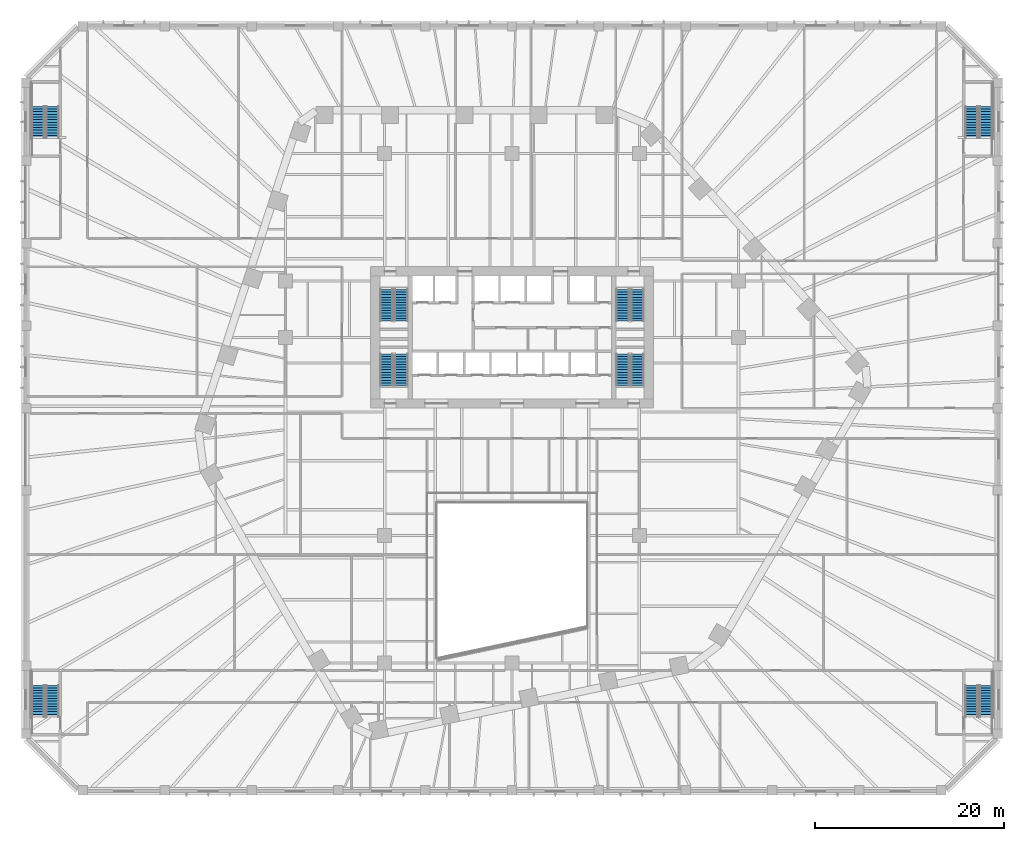
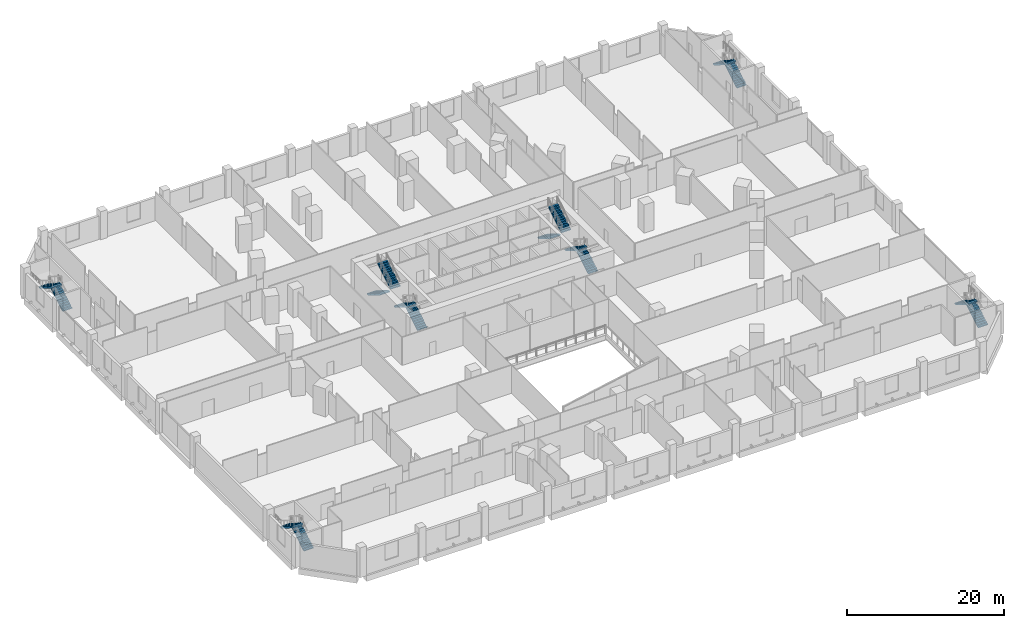
# One storey, part 23 of 33: 16 stair flights, 8 elements without a shape of their own.
"""IFC4 building model written with IfcOpenShell, lengths in metres."""

from ifc_helpers import new_model, si_unit, direction, frame, origin, place, context, subcontext, project, spatial, polyline, outline, extrude, material, type_object, element, aggregate, save


model = new_model("IFC4")

# Units and contexts
model_context = context("Model", 3, precision=1e-05, world=origin(), true_north=direction((0.0, 1.0)))
body_context = subcontext(model_context, "Body", "Model", "MODEL_VIEW")
ifc_project = project(units=[si_unit("LENGTHUNIT", "METRE"), si_unit("AREAUNIT", "SQUARE_METRE"), si_unit("VOLUMEUNIT", "CUBIC_METRE"), si_unit("PLANEANGLEUNIT", "RADIAN"), si_unit("MASSUNIT", "GRAM", prefix="KILO")], contexts=[model_context])

# Site, building, storey
site_placement = place(None, origin())
site = spatial("IfcSite", under=ifc_project, at=site_placement, CompositionType="ELEMENT")
building_placement = place(site_placement, origin())
building = spatial("IfcBuilding", under=site, at=building_placement, Name="Isthmus Gate Tower", CompositionType="ELEMENT")
storey_placement = place(building_placement, frame((0.0, 0.0, 31.5)))
storey = spatial("IfcBuildingStorey", under=building, at=storey_placement, Name="L05", CompositionType="ELEMENT", Elevation=31.5)

# Stair, stair flights
ifc_material_1 = material(Name="Concrete f'c 40 MPa", Category="concrete")
stair_type_1 = type_object("IfcStairType", Name="Podium exit stair 1400 wide flights", PredefinedType="HALF_TURN_STAIR", material=ifc_material_1)
stair_1_placement = place(storey_placement, origin())
stair_1 = element("IfcStair", 1, at=stair_1_placement, inside=storey, type_object=stair_type_1, Name="L05 Podium Exit Stair ST3", PredefinedType="HALF_TURN_STAIR")
ifc_material_2 = material(Name="Concrete f'c 40 MPa", Category="concrete")
stair_flight_type_1 = type_object("IfcStairFlightType", Name="Podium stair flight 1400", PredefinedType="STRAIGHT", material=ifc_material_2)
stair_flight_1_placement = place(storey_placement, frame((-48.699951171875, -32.72509765625, 0.0), z_axis=(0.0, 0.0, 1.0), x_axis=(0.0, 1.0, 0.0)))
stair_flight_1 = element("IfcStairFlight", 2, at=stair_flight_1_placement, type_object=stair_flight_type_1, Name="ST3 flight 1", NumberOfRisers=13, NumberOfTreads=12, PredefinedType="STRAIGHT", RiserHeight=0.173076923, TreadLength=0.28, context=body_context, shape_type="SweptSolid", body=[
    extrude(outline(polyline([(0.0, 0.0), (0.0, 0.173095703125), (0.280029296875, 0.173095703125), (0.280029296875, 0.34619140625), (0.56005859375, 0.34619140625), (0.56005859375, 0.519287109375), (0.840087890625, 0.519287109375), (0.840087890625, 0.6923828125), (1.1201171875, 0.6923828125), (1.1201171875, 0.865478515625), (1.39990234375, 0.865478515625), (1.39990234375, 1.03857421875), (1.679931640625, 1.03857421875), (1.679931640625, 1.21142578125), (1.9599609375, 1.21142578125), (1.9599609375, 1.384521484375), (2.239990234375, 1.384521484375), (2.239990234375, 1.5576171875), (2.52001953125, 1.5576171875), (2.52001953125, 1.730712890625), (2.800048828125, 1.730712890625), (2.800048828125, 1.90380859375), (3.080078125, 1.90380859375), (3.080078125, 2.076904296875), (3.360107421875, 2.076904296875), (3.360107421875, 2.25), (3.360107421875, 1.900634765625), (0.28515625, 0.0), (0.0, 0.0)])), frame((0.0, 0.699951171875, 0.0), z_axis=(0.0, -1.0, 0.0), x_axis=(1.0, 0.0, 0.0)), (0.0, 0.0, 1.0), 1.39990234375),
])
stair_flight_2_placement = place(storey_placement, frame((-50.25, -29.364990234375, 2.25), z_axis=(0.0, 0.0, 1.0), x_axis=(0.0, -1.0, 0.0)))
stair_flight_2 = element("IfcStairFlight", 3, at=stair_flight_2_placement, type_object=stair_flight_type_1, Name="ST3 flight 2", NumberOfRisers=13, NumberOfTreads=12, PredefinedType="STRAIGHT", RiserHeight=0.173076923, TreadLength=0.28, context=body_context, shape_type="SweptSolid", body=[
    extrude(outline(polyline([(0.0, 0.0), (0.0, 0.173095703125), (0.280029296875, 0.173095703125), (0.280029296875, 0.34619140625), (0.56005859375, 0.34619140625), (0.56005859375, 0.519287109375), (0.840087890625, 0.519287109375), (0.840087890625, 0.6923828125), (1.1201171875, 0.6923828125), (1.1201171875, 0.865478515625), (1.39990234375, 0.865478515625), (1.39990234375, 1.03857421875), (1.679931640625, 1.03857421875), (1.679931640625, 1.21142578125), (1.9599609375, 1.21142578125), (1.9599609375, 1.384521484375), (2.239990234375, 1.384521484375), (2.239990234375, 1.5576171875), (2.52001953125, 1.5576171875), (2.52001953125, 1.730712890625), (2.800048828125, 1.730712890625), (2.800048828125, 1.90380859375), (3.080078125, 1.90380859375), (3.080078125, 2.076904296875), (3.360107421875, 2.076904296875), (3.360107421875, 2.25), (3.360107421875, 1.900634765625), (0.28515625, 0.0), (0.0, 0.0)])), frame((0.0, 0.699951171875, 0.0), z_axis=(0.0, -1.0, 0.0), x_axis=(1.0, 0.0, 0.0)), (0.0, 0.0, 1.0), 1.39990234375),
])
aggregate(stair_1, [stair_flight_1, stair_flight_2])

stair_2_placement = place(storey_placement, origin())
stair_2 = element("IfcStair", 4, at=stair_2_placement, inside=storey, type_object=stair_type_1, Name="L05 Podium Exit Stair ST4", PredefinedType="HALF_TURN_STAIR")
stair_flight_3_placement = place(storey_placement, frame((50.25, -32.72509765625, 0.0), z_axis=(0.0, 0.0, 1.0), x_axis=(0.0, 1.0, 0.0)))
stair_flight_3 = element("IfcStairFlight", 5, at=stair_flight_3_placement, type_object=stair_flight_type_1, Name="ST4 flight 1", NumberOfRisers=13, NumberOfTreads=12, PredefinedType="STRAIGHT", RiserHeight=0.173076923, TreadLength=0.28, context=body_context, shape_type="SweptSolid", body=[
    extrude(outline(polyline([(0.0, 0.0), (0.0, 0.173095703125), (0.280029296875, 0.173095703125), (0.280029296875, 0.34619140625), (0.56005859375, 0.34619140625), (0.56005859375, 0.519287109375), (0.840087890625, 0.519287109375), (0.840087890625, 0.6923828125), (1.1201171875, 0.6923828125), (1.1201171875, 0.865478515625), (1.39990234375, 0.865478515625), (1.39990234375, 1.03857421875), (1.679931640625, 1.03857421875), (1.679931640625, 1.21142578125), (1.9599609375, 1.21142578125), (1.9599609375, 1.384521484375), (2.239990234375, 1.384521484375), (2.239990234375, 1.5576171875), (2.52001953125, 1.5576171875), (2.52001953125, 1.730712890625), (2.800048828125, 1.730712890625), (2.800048828125, 1.90380859375), (3.080078125, 1.90380859375), (3.080078125, 2.076904296875), (3.360107421875, 2.076904296875), (3.360107421875, 2.25), (3.360107421875, 1.900634765625), (0.28515625, 0.0), (0.0, 0.0)])), frame((0.0, 0.699951171875, 0.0), z_axis=(0.0, -1.0, 0.0), x_axis=(1.0, 0.0, 0.0)), (0.0, 0.0, 1.0), 1.39990234375),
])
stair_flight_4_placement = place(storey_placement, frame((48.699951171875, -29.364990234375, 2.25), z_axis=(0.0, 0.0, 1.0), x_axis=(0.0, -1.0, 0.0)))
stair_flight_4 = element("IfcStairFlight", 6, at=stair_flight_4_placement, type_object=stair_flight_type_1, Name="ST4 flight 2", NumberOfRisers=13, NumberOfTreads=12, PredefinedType="STRAIGHT", RiserHeight=0.173076923, TreadLength=0.28, context=body_context, shape_type="SweptSolid", body=[
    extrude(outline(polyline([(0.0, 0.0), (0.0, 0.173095703125), (0.280029296875, 0.173095703125), (0.280029296875, 0.34619140625), (0.56005859375, 0.34619140625), (0.56005859375, 0.519287109375), (0.840087890625, 0.519287109375), (0.840087890625, 0.6923828125), (1.1201171875, 0.6923828125), (1.1201171875, 0.865478515625), (1.39990234375, 0.865478515625), (1.39990234375, 1.03857421875), (1.679931640625, 1.03857421875), (1.679931640625, 1.21142578125), (1.9599609375, 1.21142578125), (1.9599609375, 1.384521484375), (2.239990234375, 1.384521484375), (2.239990234375, 1.5576171875), (2.52001953125, 1.5576171875), (2.52001953125, 1.730712890625), (2.800048828125, 1.730712890625), (2.800048828125, 1.90380859375), (3.080078125, 1.90380859375), (3.080078125, 2.076904296875), (3.360107421875, 2.076904296875), (3.360107421875, 2.25), (3.360107421875, 1.900634765625), (0.28515625, 0.0), (0.0, 0.0)])), frame((0.0, 0.699951171875, 0.0), z_axis=(0.0, -1.0, 0.0), x_axis=(1.0, 0.0, 0.0)), (0.0, 0.0, 1.0), 1.39990234375),
])
aggregate(stair_2, [stair_flight_3, stair_flight_4])

stair_3_placement = place(storey_placement, origin())
stair_3 = element("IfcStair", 7, at=stair_3_placement, inside=storey, type_object=stair_type_1, Name="L05 Podium Exit Stair ST5", PredefinedType="HALF_TURN_STAIR")
stair_flight_5_placement = place(storey_placement, frame((50.25, 28.625, 0.0), z_axis=(0.0, 0.0, 1.0), x_axis=(0.0, 1.0, 0.0)))
stair_flight_5 = element("IfcStairFlight", 8, at=stair_flight_5_placement, type_object=stair_flight_type_1, Name="ST5 flight 1", NumberOfRisers=13, NumberOfTreads=12, PredefinedType="STRAIGHT", RiserHeight=0.173076923, TreadLength=0.28, context=body_context, shape_type="SweptSolid", body=[
    extrude(outline(polyline([(0.0, 0.0), (0.0, 0.173095703125), (0.280029296875, 0.173095703125), (0.280029296875, 0.34619140625), (0.56005859375, 0.34619140625), (0.56005859375, 0.519287109375), (0.840087890625, 0.519287109375), (0.840087890625, 0.6923828125), (1.1201171875, 0.6923828125), (1.1201171875, 0.865478515625), (1.39990234375, 0.865478515625), (1.39990234375, 1.03857421875), (1.679931640625, 1.03857421875), (1.679931640625, 1.21142578125), (1.9599609375, 1.21142578125), (1.9599609375, 1.384521484375), (2.239990234375, 1.384521484375), (2.239990234375, 1.5576171875), (2.52001953125, 1.5576171875), (2.52001953125, 1.730712890625), (2.800048828125, 1.730712890625), (2.800048828125, 1.90380859375), (3.080078125, 1.90380859375), (3.080078125, 2.076904296875), (3.360107421875, 2.076904296875), (3.360107421875, 2.25), (3.360107421875, 1.900634765625), (0.28515625, 0.0), (0.0, 0.0)])), frame((0.0, 0.699951171875, 0.0), z_axis=(0.0, -1.0, 0.0), x_axis=(1.0, 0.0, 0.0)), (0.0, 0.0, 1.0), 1.39990234375),
])
stair_flight_6_placement = place(storey_placement, frame((48.699951171875, 31.985107421875, 2.25), z_axis=(0.0, 0.0, 1.0), x_axis=(0.0, -1.0, 0.0)))
stair_flight_6 = element("IfcStairFlight", 9, at=stair_flight_6_placement, type_object=stair_flight_type_1, Name="ST5 flight 2", NumberOfRisers=13, NumberOfTreads=12, PredefinedType="STRAIGHT", RiserHeight=0.173076923, TreadLength=0.28, context=body_context, shape_type="SweptSolid", body=[
    extrude(outline(polyline([(0.0, 0.0), (0.0, 0.173095703125), (0.280029296875, 0.173095703125), (0.280029296875, 0.34619140625), (0.56005859375, 0.34619140625), (0.56005859375, 0.519287109375), (0.840087890625, 0.519287109375), (0.840087890625, 0.6923828125), (1.1201171875, 0.6923828125), (1.1201171875, 0.865478515625), (1.39990234375, 0.865478515625), (1.39990234375, 1.03857421875), (1.679931640625, 1.03857421875), (1.679931640625, 1.21142578125), (1.9599609375, 1.21142578125), (1.9599609375, 1.384521484375), (2.239990234375, 1.384521484375), (2.239990234375, 1.5576171875), (2.52001953125, 1.5576171875), (2.52001953125, 1.730712890625), (2.800048828125, 1.730712890625), (2.800048828125, 1.90380859375), (3.080078125, 1.90380859375), (3.080078125, 2.076904296875), (3.360107421875, 2.076904296875), (3.360107421875, 2.25), (3.360107421875, 1.900634765625), (0.28515625, 0.0), (0.0, 0.0)])), frame((0.0, 0.699951171875, 0.0), z_axis=(0.0, -1.0, 0.0), x_axis=(1.0, 0.0, 0.0)), (0.0, 0.0, 1.0), 1.39990234375),
])
aggregate(stair_3, [stair_flight_5, stair_flight_6])

stair_4_placement = place(storey_placement, origin())
stair_4 = element("IfcStair", 10, at=stair_4_placement, inside=storey, type_object=stair_type_1, Name="L05 Podium Exit Stair ST6", PredefinedType="HALF_TURN_STAIR")
stair_flight_7_placement = place(storey_placement, frame((-48.699951171875, 28.625, 0.0), z_axis=(0.0, 0.0, 1.0), x_axis=(0.0, 1.0, 0.0)))
stair_flight_7 = element("IfcStairFlight", 11, at=stair_flight_7_placement, type_object=stair_flight_type_1, Name="ST6 flight 1", NumberOfRisers=13, NumberOfTreads=12, PredefinedType="STRAIGHT", RiserHeight=0.173076923, TreadLength=0.28, context=body_context, shape_type="SweptSolid", body=[
    extrude(outline(polyline([(0.0, 0.0), (0.0, 0.173095703125), (0.280029296875, 0.173095703125), (0.280029296875, 0.34619140625), (0.56005859375, 0.34619140625), (0.56005859375, 0.519287109375), (0.840087890625, 0.519287109375), (0.840087890625, 0.6923828125), (1.1201171875, 0.6923828125), (1.1201171875, 0.865478515625), (1.39990234375, 0.865478515625), (1.39990234375, 1.03857421875), (1.679931640625, 1.03857421875), (1.679931640625, 1.21142578125), (1.9599609375, 1.21142578125), (1.9599609375, 1.384521484375), (2.239990234375, 1.384521484375), (2.239990234375, 1.5576171875), (2.52001953125, 1.5576171875), (2.52001953125, 1.730712890625), (2.800048828125, 1.730712890625), (2.800048828125, 1.90380859375), (3.080078125, 1.90380859375), (3.080078125, 2.076904296875), (3.360107421875, 2.076904296875), (3.360107421875, 2.25), (3.360107421875, 1.900634765625), (0.28515625, 0.0), (0.0, 0.0)])), frame((0.0, 0.699951171875, 0.0), z_axis=(0.0, -1.0, 0.0), x_axis=(1.0, 0.0, 0.0)), (0.0, 0.0, 1.0), 1.39990234375),
])
stair_flight_8_placement = place(storey_placement, frame((-50.25, 31.985107421875, 2.25), z_axis=(0.0, 0.0, 1.0), x_axis=(0.0, -1.0, 0.0)))
stair_flight_8 = element("IfcStairFlight", 12, at=stair_flight_8_placement, type_object=stair_flight_type_1, Name="ST6 flight 2", NumberOfRisers=13, NumberOfTreads=12, PredefinedType="STRAIGHT", RiserHeight=0.173076923, TreadLength=0.28, context=body_context, shape_type="SweptSolid", body=[
    extrude(outline(polyline([(0.0, 0.0), (0.0, 0.173095703125), (0.280029296875, 0.173095703125), (0.280029296875, 0.34619140625), (0.56005859375, 0.34619140625), (0.56005859375, 0.519287109375), (0.840087890625, 0.519287109375), (0.840087890625, 0.6923828125), (1.1201171875, 0.6923828125), (1.1201171875, 0.865478515625), (1.39990234375, 0.865478515625), (1.39990234375, 1.03857421875), (1.679931640625, 1.03857421875), (1.679931640625, 1.21142578125), (1.9599609375, 1.21142578125), (1.9599609375, 1.384521484375), (2.239990234375, 1.384521484375), (2.239990234375, 1.5576171875), (2.52001953125, 1.5576171875), (2.52001953125, 1.730712890625), (2.800048828125, 1.730712890625), (2.800048828125, 1.90380859375), (3.080078125, 1.90380859375), (3.080078125, 2.076904296875), (3.360107421875, 2.076904296875), (3.360107421875, 2.25), (3.360107421875, 1.900634765625), (0.28515625, 0.0), (0.0, 0.0)])), frame((0.0, 0.699951171875, 0.0), z_axis=(0.0, -1.0, 0.0), x_axis=(1.0, 0.0, 0.0)), (0.0, 0.0, 1.0), 1.39990234375),
])
aggregate(stair_4, [stair_flight_7, stair_flight_8])

ifc_material_3 = material(Name="Concrete f'c 40 MPa", Category="concrete")
stair_type_2 = type_object("IfcStairType", Name="CORE STAIR 26 RISERS", PredefinedType="HALF_TURN_STAIR", material=ifc_material_3)
stair_5_placement = place(storey_placement, origin())
stair_5 = element("IfcStair", 13, at=stair_5_placement, inside=storey, type_object=stair_type_2, Name="L05 Exit Stair 1", PredefinedType="HALF_TURN_STAIR")
ifc_material_4 = material(Name="Concrete f'c 40 MPa", Category="concrete")
stair_flight_type_2 = type_object("IfcStairFlightType", Name="STAIR FLIGHT RC 1400", PredefinedType="STRAIGHT", material=ifc_material_4)
stair_flight_9_placement = place(storey_placement, frame((-13.300048828125, 12.60009765625, 0.0), z_axis=(0.0, 0.0, 1.0), x_axis=(0.0, -1.0, 0.0)))
stair_flight_9 = element("IfcStairFlight", 14, at=stair_flight_9_placement, type_object=stair_flight_type_2, Name="ST1 flight 1", NumberOfRisers=13, NumberOfTreads=12, PredefinedType="STRAIGHT", RiserHeight=0.173076923, TreadLength=0.28, context=body_context, shape_type="SweptSolid", body=[
    extrude(outline(polyline([(0.0, 0.0), (0.0, 0.173095703125), (0.280029296875, 0.173095703125), (0.280029296875, 0.34619140625), (0.56005859375, 0.34619140625), (0.56005859375, 0.519287109375), (0.840087890625, 0.519287109375), (0.840087890625, 0.6923828125), (1.1201171875, 0.6923828125), (1.1201171875, 0.865478515625), (1.39990234375, 0.865478515625), (1.39990234375, 1.03857421875), (1.679931640625, 1.03857421875), (1.679931640625, 1.21142578125), (1.9599609375, 1.21142578125), (1.9599609375, 1.384521484375), (2.239990234375, 1.384521484375), (2.239990234375, 1.5576171875), (2.52001953125, 1.5576171875), (2.52001953125, 1.730712890625), (2.800048828125, 1.730712890625), (2.800048828125, 1.90380859375), (3.080078125, 1.90380859375), (3.080078125, 2.076904296875), (3.360107421875, 2.076904296875), (3.360107421875, 2.25), (3.360107421875, 1.900634765625), (0.28515625, 0.0), (0.0, 0.0)])), frame((0.0, 0.699951171875, 0.0), z_axis=(0.0, -1.0, 0.0), x_axis=(1.0, 0.0, 0.0)), (0.0, 0.0, 1.0), 1.39990234375),
])
stair_flight_10_placement = place(storey_placement, frame((-11.75, 9.239990234375, 2.25), z_axis=(0.0, 0.0, 1.0), x_axis=(0.0, 1.0, 0.0)))
stair_flight_10 = element("IfcStairFlight", 15, at=stair_flight_10_placement, type_object=stair_flight_type_2, Name="ST1 flight 2", NumberOfRisers=13, NumberOfTreads=12, PredefinedType="STRAIGHT", RiserHeight=0.173076923, TreadLength=0.28, context=body_context, shape_type="SweptSolid", body=[
    extrude(outline(polyline([(0.0, 0.0), (0.0, 0.173095703125), (0.280029296875, 0.173095703125), (0.280029296875, 0.34619140625), (0.56005859375, 0.34619140625), (0.56005859375, 0.519287109375), (0.840087890625, 0.519287109375), (0.840087890625, 0.6923828125), (1.1201171875, 0.6923828125), (1.1201171875, 0.865478515625), (1.39990234375, 0.865478515625), (1.39990234375, 1.03857421875), (1.679931640625, 1.03857421875), (1.679931640625, 1.21142578125), (1.9599609375, 1.21142578125), (1.9599609375, 1.384521484375), (2.239990234375, 1.384521484375), (2.239990234375, 1.5576171875), (2.52001953125, 1.5576171875), (2.52001953125, 1.730712890625), (2.800048828125, 1.730712890625), (2.800048828125, 1.90380859375), (3.080078125, 1.90380859375), (3.080078125, 2.076904296875), (3.360107421875, 2.076904296875), (3.360107421875, 2.25), (3.360107421875, 1.900634765625), (0.28515625, 0.0), (0.0, 0.0)])), frame((0.0, 0.699951171875, 0.0), z_axis=(0.0, -1.0, 0.0), x_axis=(1.0, 0.0, 0.0)), (0.0, 0.0, 1.0), 1.39990234375),
])
aggregate(stair_5, [stair_flight_9, stair_flight_10])

stair_6_placement = place(storey_placement, origin())
stair_6 = element("IfcStair", 16, at=stair_6_placement, inside=storey, type_object=stair_type_2, Name="L05 Exit Stair 2", PredefinedType="HALF_TURN_STAIR")
stair_flight_11_placement = place(storey_placement, frame((11.75, 12.60009765625, 0.0), z_axis=(0.0, 0.0, 1.0), x_axis=(0.0, -1.0, 0.0)))
stair_flight_11 = element("IfcStairFlight", 17, at=stair_flight_11_placement, type_object=stair_flight_type_2, Name="ST2 flight 1", NumberOfRisers=13, NumberOfTreads=12, PredefinedType="STRAIGHT", RiserHeight=0.173076923, TreadLength=0.28, context=body_context, shape_type="SweptSolid", body=[
    extrude(outline(polyline([(0.0, 0.0), (0.0, 0.173095703125), (0.280029296875, 0.173095703125), (0.280029296875, 0.34619140625), (0.56005859375, 0.34619140625), (0.56005859375, 0.519287109375), (0.840087890625, 0.519287109375), (0.840087890625, 0.6923828125), (1.1201171875, 0.6923828125), (1.1201171875, 0.865478515625), (1.39990234375, 0.865478515625), (1.39990234375, 1.03857421875), (1.679931640625, 1.03857421875), (1.679931640625, 1.21142578125), (1.9599609375, 1.21142578125), (1.9599609375, 1.384521484375), (2.239990234375, 1.384521484375), (2.239990234375, 1.5576171875), (2.52001953125, 1.5576171875), (2.52001953125, 1.730712890625), (2.800048828125, 1.730712890625), (2.800048828125, 1.90380859375), (3.080078125, 1.90380859375), (3.080078125, 2.076904296875), (3.360107421875, 2.076904296875), (3.360107421875, 2.25), (3.360107421875, 1.900634765625), (0.28515625, 0.0), (0.0, 0.0)])), frame((0.0, 0.699951171875, 0.0), z_axis=(0.0, -1.0, 0.0), x_axis=(1.0, 0.0, 0.0)), (0.0, 0.0, 1.0), 1.39990234375),
])
stair_flight_12_placement = place(storey_placement, frame((13.300048828125, 9.239990234375, 2.25), z_axis=(0.0, 0.0, 1.0), x_axis=(0.0, 1.0, 0.0)))
stair_flight_12 = element("IfcStairFlight", 18, at=stair_flight_12_placement, type_object=stair_flight_type_2, Name="ST2 flight 2", NumberOfRisers=13, NumberOfTreads=12, PredefinedType="STRAIGHT", RiserHeight=0.173076923, TreadLength=0.28, context=body_context, shape_type="SweptSolid", body=[
    extrude(outline(polyline([(0.0, 0.0), (0.0, 0.173095703125), (0.280029296875, 0.173095703125), (0.280029296875, 0.34619140625), (0.56005859375, 0.34619140625), (0.56005859375, 0.519287109375), (0.840087890625, 0.519287109375), (0.840087890625, 0.6923828125), (1.1201171875, 0.6923828125), (1.1201171875, 0.865478515625), (1.39990234375, 0.865478515625), (1.39990234375, 1.03857421875), (1.679931640625, 1.03857421875), (1.679931640625, 1.21142578125), (1.9599609375, 1.21142578125), (1.9599609375, 1.384521484375), (2.239990234375, 1.384521484375), (2.239990234375, 1.5576171875), (2.52001953125, 1.5576171875), (2.52001953125, 1.730712890625), (2.800048828125, 1.730712890625), (2.800048828125, 1.90380859375), (3.080078125, 1.90380859375), (3.080078125, 2.076904296875), (3.360107421875, 2.076904296875), (3.360107421875, 2.25), (3.360107421875, 1.900634765625), (0.28515625, 0.0), (0.0, 0.0)])), frame((0.0, 0.699951171875, 0.0), z_axis=(0.0, -1.0, 0.0), x_axis=(1.0, 0.0, 0.0)), (0.0, 0.0, 1.0), 1.39990234375),
])
aggregate(stair_6, [stair_flight_11, stair_flight_12])

stair_7_placement = place(storey_placement, origin())
stair_7 = element("IfcStair", 19, at=stair_7_placement, inside=storey, type_object=stair_type_2, Name="L05 Exit Stair 7", PredefinedType="HALF_TURN_STAIR")
stair_flight_13_placement = place(storey_placement, frame((-11.75, 2.39990234375, 0.0), z_axis=(0.0, 0.0, 1.0), x_axis=(0.0, 1.0, 0.0)))
stair_flight_13 = element("IfcStairFlight", 20, at=stair_flight_13_placement, type_object=stair_flight_type_2, Name="ST7 flight 1", NumberOfRisers=13, NumberOfTreads=12, PredefinedType="STRAIGHT", RiserHeight=0.173076923, TreadLength=0.28, context=body_context, shape_type="SweptSolid", body=[
    extrude(outline(polyline([(0.0, 0.0), (0.0, 0.173095703125), (0.280029296875, 0.173095703125), (0.280029296875, 0.34619140625), (0.56005859375, 0.34619140625), (0.56005859375, 0.519287109375), (0.840087890625, 0.519287109375), (0.840087890625, 0.6923828125), (1.1201171875, 0.6923828125), (1.1201171875, 0.865478515625), (1.39990234375, 0.865478515625), (1.39990234375, 1.03857421875), (1.679931640625, 1.03857421875), (1.679931640625, 1.21142578125), (1.9599609375, 1.21142578125), (1.9599609375, 1.384521484375), (2.239990234375, 1.384521484375), (2.239990234375, 1.5576171875), (2.52001953125, 1.5576171875), (2.52001953125, 1.730712890625), (2.800048828125, 1.730712890625), (2.800048828125, 1.90380859375), (3.080078125, 1.90380859375), (3.080078125, 2.076904296875), (3.360107421875, 2.076904296875), (3.360107421875, 2.25), (3.360107421875, 1.900634765625), (0.28515625, 0.0), (0.0, 0.0)])), frame((0.0, 0.699951171875, 0.0), z_axis=(0.0, -1.0, 0.0), x_axis=(1.0, 0.0, 0.0)), (0.0, 0.0, 1.0), 1.39990234375),
])
stair_flight_14_placement = place(storey_placement, frame((-13.300048828125, 5.760009765625, 2.25), z_axis=(0.0, 0.0, 1.0), x_axis=(0.0, -1.0, 0.0)))
stair_flight_14 = element("IfcStairFlight", 21, at=stair_flight_14_placement, type_object=stair_flight_type_2, Name="ST7 flight 2", NumberOfRisers=13, NumberOfTreads=12, PredefinedType="STRAIGHT", RiserHeight=0.173076923, TreadLength=0.28, context=body_context, shape_type="SweptSolid", body=[
    extrude(outline(polyline([(0.0, 0.0), (0.0, 0.173095703125), (0.280029296875, 0.173095703125), (0.280029296875, 0.34619140625), (0.56005859375, 0.34619140625), (0.56005859375, 0.519287109375), (0.840087890625, 0.519287109375), (0.840087890625, 0.6923828125), (1.1201171875, 0.6923828125), (1.1201171875, 0.865478515625), (1.39990234375, 0.865478515625), (1.39990234375, 1.03857421875), (1.679931640625, 1.03857421875), (1.679931640625, 1.21142578125), (1.9599609375, 1.21142578125), (1.9599609375, 1.384521484375), (2.239990234375, 1.384521484375), (2.239990234375, 1.5576171875), (2.52001953125, 1.5576171875), (2.52001953125, 1.730712890625), (2.800048828125, 1.730712890625), (2.800048828125, 1.90380859375), (3.080078125, 1.90380859375), (3.080078125, 2.076904296875), (3.360107421875, 2.076904296875), (3.360107421875, 2.25), (3.360107421875, 1.900634765625), (0.28515625, 0.0), (0.0, 0.0)])), frame((0.0, 0.699951171875, 0.0), z_axis=(0.0, -1.0, 0.0), x_axis=(1.0, 0.0, 0.0)), (0.0, 0.0, 1.0), 1.39990234375),
])
aggregate(stair_7, [stair_flight_13, stair_flight_14])

stair_8_placement = place(storey_placement, origin())
stair_8 = element("IfcStair", 22, at=stair_8_placement, inside=storey, type_object=stair_type_2, Name="L05 Exit Stair 8", PredefinedType="HALF_TURN_STAIR")
stair_flight_15_placement = place(storey_placement, frame((13.300048828125, 2.39990234375, 0.0), z_axis=(0.0, 0.0, 1.0), x_axis=(0.0, 1.0, 0.0)))
stair_flight_15 = element("IfcStairFlight", 23, at=stair_flight_15_placement, type_object=stair_flight_type_2, Name="ST8 flight 1", NumberOfRisers=13, NumberOfTreads=12, PredefinedType="STRAIGHT", RiserHeight=0.173076923, TreadLength=0.28, context=body_context, shape_type="SweptSolid", body=[
    extrude(outline(polyline([(0.0, 0.0), (0.0, 0.173095703125), (0.280029296875, 0.173095703125), (0.280029296875, 0.34619140625), (0.56005859375, 0.34619140625), (0.56005859375, 0.519287109375), (0.840087890625, 0.519287109375), (0.840087890625, 0.6923828125), (1.1201171875, 0.6923828125), (1.1201171875, 0.865478515625), (1.39990234375, 0.865478515625), (1.39990234375, 1.03857421875), (1.679931640625, 1.03857421875), (1.679931640625, 1.21142578125), (1.9599609375, 1.21142578125), (1.9599609375, 1.384521484375), (2.239990234375, 1.384521484375), (2.239990234375, 1.5576171875), (2.52001953125, 1.5576171875), (2.52001953125, 1.730712890625), (2.800048828125, 1.730712890625), (2.800048828125, 1.90380859375), (3.080078125, 1.90380859375), (3.080078125, 2.076904296875), (3.360107421875, 2.076904296875), (3.360107421875, 2.25), (3.360107421875, 1.900634765625), (0.28515625, 0.0), (0.0, 0.0)])), frame((0.0, 0.699951171875, 0.0), z_axis=(0.0, -1.0, 0.0), x_axis=(1.0, 0.0, 0.0)), (0.0, 0.0, 1.0), 1.39990234375),
])
stair_flight_16_placement = place(storey_placement, frame((11.75, 5.760009765625, 2.25), z_axis=(0.0, 0.0, 1.0), x_axis=(0.0, -1.0, 0.0)))
stair_flight_16 = element("IfcStairFlight", 24, at=stair_flight_16_placement, type_object=stair_flight_type_2, Name="ST8 flight 2", NumberOfRisers=13, NumberOfTreads=12, PredefinedType="STRAIGHT", RiserHeight=0.173076923, TreadLength=0.28, context=body_context, shape_type="SweptSolid", body=[
    extrude(outline(polyline([(0.0, 0.0), (0.0, 0.173095703125), (0.280029296875, 0.173095703125), (0.280029296875, 0.34619140625), (0.56005859375, 0.34619140625), (0.56005859375, 0.519287109375), (0.840087890625, 0.519287109375), (0.840087890625, 0.6923828125), (1.1201171875, 0.6923828125), (1.1201171875, 0.865478515625), (1.39990234375, 0.865478515625), (1.39990234375, 1.03857421875), (1.679931640625, 1.03857421875), (1.679931640625, 1.21142578125), (1.9599609375, 1.21142578125), (1.9599609375, 1.384521484375), (2.239990234375, 1.384521484375), (2.239990234375, 1.5576171875), (2.52001953125, 1.5576171875), (2.52001953125, 1.730712890625), (2.800048828125, 1.730712890625), (2.800048828125, 1.90380859375), (3.080078125, 1.90380859375), (3.080078125, 2.076904296875), (3.360107421875, 2.076904296875), (3.360107421875, 2.25), (3.360107421875, 1.900634765625), (0.28515625, 0.0), (0.0, 0.0)])), frame((0.0, 0.699951171875, 0.0), z_axis=(0.0, -1.0, 0.0), x_axis=(1.0, 0.0, 0.0)), (0.0, 0.0, 1.0), 1.39990234375),
])
aggregate(stair_8, [stair_flight_15, stair_flight_16])

save(model, "model.ifc")
